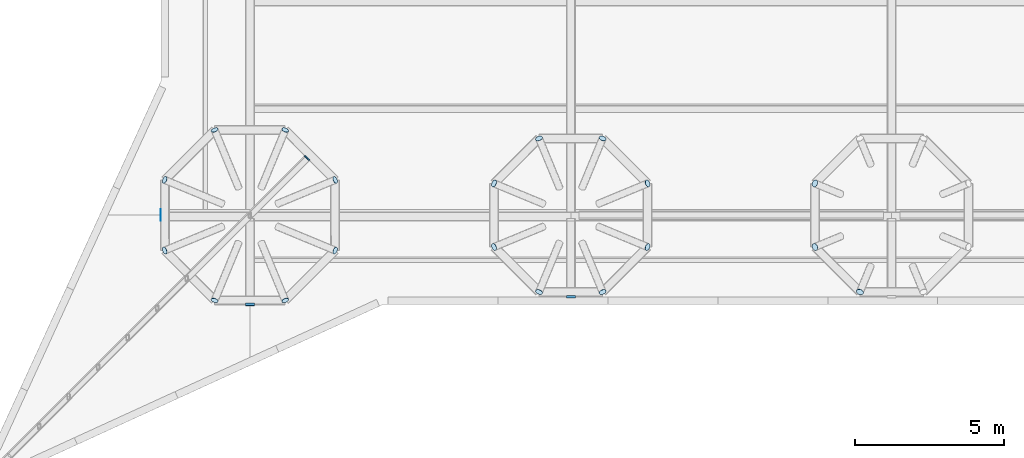
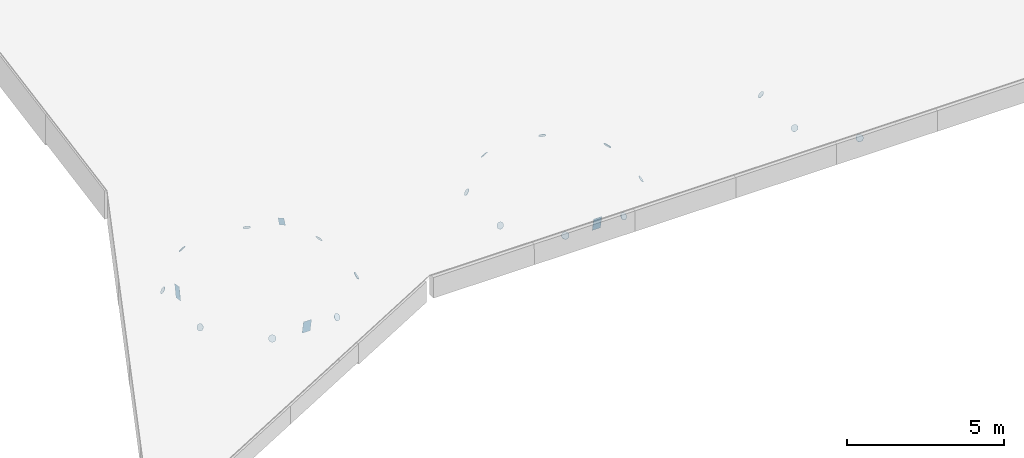
# One storey, part 33 of 56: 23 plates.
"""IFC4 building model written with IfcOpenShell, lengths in metres."""

from ifc_helpers import new_model, si_unit, direction, frame, origin, origin_2d, place, context, subcontext, project, spatial, rectangle, circle, extrude, material, material_profile, profile_set, type_object, element, save


model = new_model("IFC4")

# Units and contexts
model_context = context("Model", 3, precision=1e-05, world=origin(), true_north=direction((0.0, 1.0)))
body_context = subcontext(model_context, "Body", "Model", "MODEL_VIEW")
ifc_project = project(units=[si_unit("LENGTHUNIT", "METRE"), si_unit("AREAUNIT", "SQUARE_METRE"), si_unit("VOLUMEUNIT", "CUBIC_METRE"), si_unit("PLANEANGLEUNIT", "RADIAN"), si_unit("MASSUNIT", "GRAM", prefix="KILO")], contexts=[model_context])

# Site, building, storey
site_placement = place(None, origin())
site = spatial("IfcSite", under=ifc_project, at=site_placement, CompositionType="ELEMENT")
building_placement = place(site_placement, origin())
building = spatial("IfcBuilding", under=site, at=building_placement, Name="Magnolia Steps Interchange", CompositionType="ELEMENT")
storey_placement = place(building_placement, frame((0.0, 0.0, 8.699951171875)))
storey = spatial("IfcBuildingStorey", under=building, at=storey_placement, Name="L02", CompositionType="ELEMENT", Elevation=8.699951171875)

# Plates
ifc_material_1 = material(Name="Steel Q355B", Category="steel")
ifc_material_profile_1 = material_profile(ifc_material_1, circle(Radius=0.12255859375, at=origin_2d()), Name="End plate CHS245x12")
ifc_profile_set_1 = profile_set([ifc_material_profile_1], Name="Steel Q355B")
plate_type_1 = type_object("IfcPlateType", Name="End plate CHS245x12", PredefinedType="SHEET", material=ifc_profile_set_1)
for number, where, z_axis, x_axis, name in (
    (1, (56.06396484375, 43.586181640625, 1.298828125), (0.786062867232, 0.325597901096, 0.525443789155), (-0.382683432978, 0.923879532258, 0.0), "End plate Tree rib"),
    (2, (54.38623046875, 45.263916015625, 1.298828125), (0.325597901096, 0.786062867232, 0.525443789155), (-0.923879532258, 0.382683432978, 0.0), "End plate Tree rib"),
    (3, (52.013671875, 45.263916015625, 1.298828125), (-0.325597901096, 0.786062867232, 0.525443789155), (-0.923879532258, -0.382683432978, 0.0), "End plate Tree rib"),
    (4, (50.3359375, 43.586181640625, 1.298828125), (-0.786062867232, 0.325597901096, 0.525443789155), (-0.382683432978, -0.923879532258, 0.0), "End plate Tree rib"),
    (5, (50.3359375, 41.213623046875, 1.298828125), (-0.786062867232, -0.325597901096, 0.525443789155), (0.382683432978, -0.923879532258, 0.0), "End plate Tree rib"),
    (6, (52.013671875, 39.535888671875, 1.298828125), (-0.325597901096, -0.786062867232, 0.525443789155), (0.923879532258, -0.382683432978, 0.0), "End plate Tree rib"),
    (7, (54.38623046875, 39.535888671875, 1.298828125), (0.325597901096, -0.786062867232, 0.525443789155), (0.923879532258, 0.382683432978, 0.0), "End plate Tree rib"),
    (8, (56.06396484375, 41.213623046875, 1.298828125), (0.786062867232, -0.325597901096, 0.525443789155), (0.382683432978, 0.923879532258, 0.0), "End plate Tree rib"),
    (9, (66.580078125, 43.46875, 1.298828125), (0.748577885793, 0.310071112914, 0.586077685838), (-0.382683432498, 0.923879532456, 0.0), "End plate Tree rib"),
    (10, (65.068603515625, 44.97998046875, 1.298828125), (0.310071112914, 0.748577885793, 0.586077685838), (-0.923879532456, 0.382683432498, 0.0), "End plate Tree rib"),
    (11, (62.931396484375, 44.97998046875, 1.298828125), (-0.310071112914, 0.748577885793, 0.586077685838), (-0.923879532456, -0.382683432498, 0.0), "End plate Tree rib"),
    (12, (61.419921875, 43.46875, 1.298828125), (-0.748577885793, 0.310071112914, 0.586077685838), (-0.382683432498, -0.923879532456, 0.0), "End plate Tree rib"),
    (13, (61.419921875, 41.331298828125, 1.298828125), (-0.748577885793, -0.310071112914, 0.586077685838), (0.382683432498, -0.923879532456, 0.0), "End plate Tree rib"),
    (14, (62.931396484375, 39.820068359375, 1.298828125), (-0.310071112914, -0.748577885793, 0.586077685838), (0.923879532456, -0.382683432498, 0.0), "End plate Tree rib"),
    (15, (65.068603515625, 39.820068359375, 1.298828125), (0.310071112914, -0.748577885793, 0.586077685838), (0.923879532456, 0.382683432498, 0.0), "End plate Tree rib"),
    (16, (66.580078125, 41.331298828125, 1.298828125), (0.748577885793, -0.310071112914, 0.586077685838), (0.382683432498, 0.923879532456, 0.0), "End plate Tree rib"),
    (17, (72.219970703125, 43.46875, 1.298828125), (-0.664583318381, 0.275279424158, 0.694658370398), (-0.382683432789, -0.923879532336, 0.0), "End plate Tree rib"),
    (18, (72.219970703125, 41.331298828125, 1.298828125), (-0.664583318381, -0.275279424158, 0.694658370398), (0.382683432789, -0.923879532336, 0.0), "End plate Tree rib"),
    (19, (73.731201171875, 39.820068359375, 1.298828125), (-0.275279424158, -0.664583318381, 0.694658370398), (0.923879532336, -0.382683432789, 0.0), "End plate Tree rib"),
):
    element("IfcPlate", number, at=place(storey_placement, frame(where, z_axis=z_axis, x_axis=x_axis)), inside=storey, type_object=plate_type_1, Name=name, PredefinedType="SHEET", context=body_context, shape_type="SweptSolid", body=[
        extrude(circle(Radius=0.12255859375, at=origin_2d()), origin(), (0.0, 0.0, 1.0), 0.008056640625),
    ])
ifc_material_2 = material(Name="Steel Q355B", Category="steel")
ifc_material_profile_2 = material_profile(ifc_material_2, rectangle(XDim=0.199951171875, YDim=0.300048828125, at=origin_2d()), Name="End plate RHS300x200x12")
ifc_profile_set_2 = profile_set([ifc_material_profile_2], Name="Steel Q355B")
plate_type_2 = type_object("IfcPlateType", Name="End plate RHS300x200x12", PredefinedType="SHEET", material=ifc_profile_set_2)
plate_placement = place(storey_placement, frame((55.119140625, 44.319091796875, 1.845703125), z_axis=(0.701264636593, 0.701264636593, 0.128280235925), x_axis=(-0.689818158293, 0.712901051665, -0.126186366241)))
element("IfcPlate", 20, at=plate_placement, inside=storey, type_object=plate_type_2, Name="End plate Spike truss bottom chord", PredefinedType="SHEET", context=body_context, shape_type="SweptSolid", body=[
    extrude(rectangle(XDim=0.199951171875, YDim=0.300048828125, at=origin_2d()), origin(), (0.0, 0.0, 1.0), 0.008056640625),
])
ifc_material_3 = material(Name="Steel Q355B", Category="steel")
ifc_material_profile_3 = material_profile(ifc_material_3, rectangle(XDim=0.300048828125, YDim=0.5, at=origin_2d()), Name="End plate RHS500x300x16")
ifc_profile_set_3 = profile_set([ifc_material_profile_3], Name="Steel Q355B")
plate_type_3 = type_object("IfcPlateType", Name="End plate RHS500x300x16", PredefinedType="SHEET", material=ifc_profile_set_3)
for number, where, z_axis, x_axis, name in (
    (21, (50.199951171875, 42.39990234375, 1.9931640625), (-1.0, 0.0, 0.0), (0.0, -0.98367737698, 0.17994115154), "End plate Roof beam"),
    (22, (53.199951171875, 39.39990234375, 1.4443359375), (0.0, -0.98367993979, -0.179927140962), (1.0, 0.0, 0.0), "End plate Roof beam"),
    (23, (64.0, 39.659912109375, 1.491943359375), (0.0, -0.983682817222, -0.179911409041), (1.0, 0.0, 0.0), "End plate Roof beam"),
):
    element("IfcPlate", number, at=place(storey_placement, frame(where, z_axis=z_axis, x_axis=x_axis)), inside=storey, type_object=plate_type_3, Name=name, PredefinedType="SHEET", context=body_context, shape_type="SweptSolid", body=[
        extrude(rectangle(XDim=0.300048828125, YDim=0.5, at=origin_2d()), origin(), (0.0, 0.0, 1.0), 0.008056640625),
    ])

save(model, "model.ifc")
